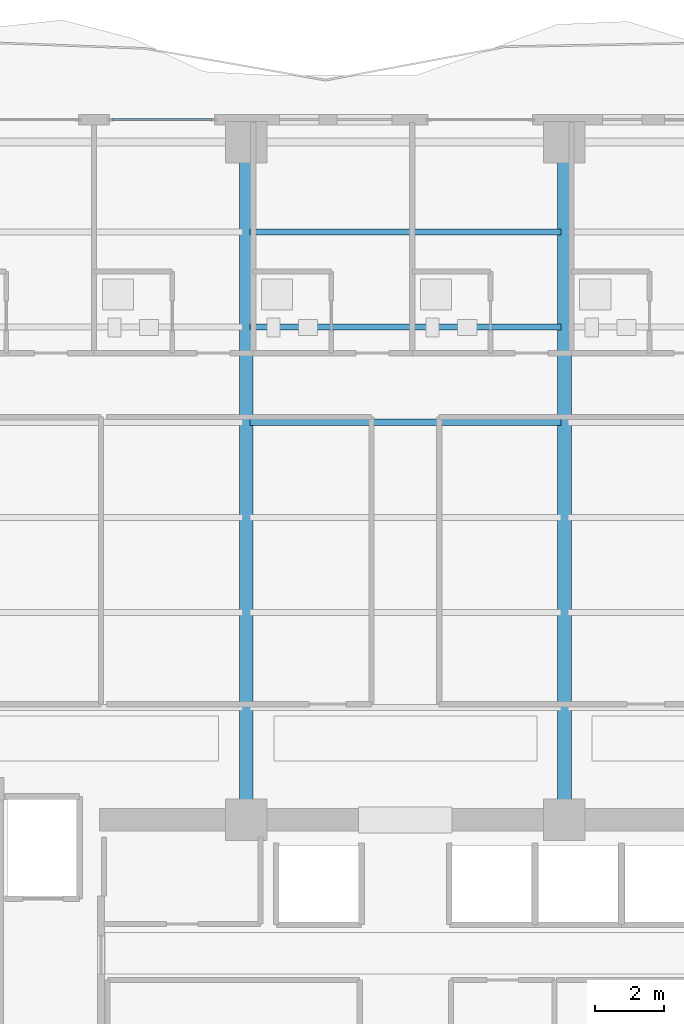
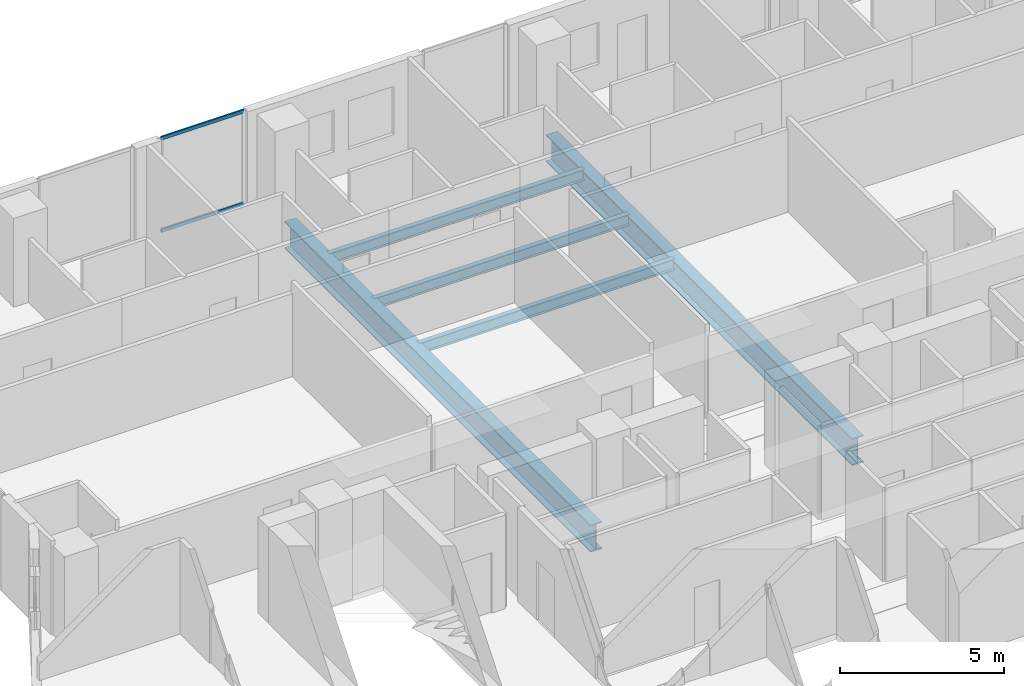
# One storey, part 18 of 33: 5 beams, 2 members, 1 element without a shape of its own.
"""IFC4 building model written with IfcOpenShell, lengths in metres."""

from ifc_helpers import new_model, si_unit, direction, frame, origin, origin_2d, place, context, subcontext, project, spatial, hollow_rectangle, i_section, extrude, material, layer, layer_set, material_profile, profile_set, type_object, element, aggregate, save


model = new_model("IFC4")

# Units and contexts
model_context = context("Model", 3, precision=1e-05, world=origin(), true_north=direction((0.0, 1.0)))
body_context = subcontext(model_context, "Body", "Model", "MODEL_VIEW")
ifc_project = project(units=[si_unit("LENGTHUNIT", "METRE"), si_unit("AREAUNIT", "SQUARE_METRE"), si_unit("VOLUMEUNIT", "CUBIC_METRE"), si_unit("PLANEANGLEUNIT", "RADIAN"), si_unit("MASSUNIT", "GRAM", prefix="KILO")], contexts=[model_context])

# Site, building, storey
site_placement = place(None, origin())
site = spatial("IfcSite", under=ifc_project, at=site_placement, CompositionType="ELEMENT")
building_placement = place(site_placement, origin())
building = spatial("IfcBuilding", under=site, at=building_placement, Name="Zuhayl Quay Hotel", CompositionType="ELEMENT")
storey_placement = place(building_placement, frame((0.0, 0.0, 229.89990234375)))
storey = spatial("IfcBuildingStorey", under=building, at=storey_placement, Name="L58", CompositionType="ELEMENT", Elevation=229.89990234375)

# Beams
ifc_material_1 = material(Name="Steel ASTM A992 Grade 50", Category="steel")
ifc_material_profile_1 = material_profile(ifc_material_1, i_section(OverallWidth=0.177978515625, OverallDepth=0.406005859375, WebThickness=0.0078125, FlangeThickness=0.0126953125, at=origin_2d()), Name="W16X40")
ifc_profile_set_1 = profile_set([ifc_material_profile_1], Name="Steel ASTM A992 Grade 50")
beam_type_1 = type_object("IfcBeamType", Name="BM_J2B_W16X40", PredefinedType="JOIST", material=ifc_profile_set_1)
for number, where, z_axis, x_axis, name in (
    (1, (-4.493896484375, 24.85009765625, -0.4228515625), (1.0, 0.0, 0.0), (0.0, 1.0, 0.0), "L58 Floor Beam FJ_L58_4_2"),
    (2, (-4.493896484375, 27.60009765625, -0.4228515625), (1.0, 0.0, 0.0), (0.0, 1.0, 0.0), "L58 Floor Beam FJ_L58_5_2"),
    (3, (-4.493896484375, 30.35009765625, -0.4228515625), (1.0, 0.0, 0.0), (0.0, 1.0, 0.0), "L58 Floor Beam FJ_L58_6_2"),
):
    element("IfcBeam", number, at=place(storey_placement, frame(where, z_axis=z_axis, x_axis=x_axis)), inside=storey, type_object=beam_type_1, Name=name, PredefinedType="JOIST", context=body_context, shape_type="SweptSolid", body=[
        extrude(i_section(OverallWidth=0.177978515625, OverallDepth=0.406005859375, WebThickness=0.0078125, FlangeThickness=0.0126953125, at=origin_2d()), origin(), (0.0, 0.0, 1.0), 8.98779296875),
    ])
ifc_material_profile_2 = material_profile(ifc_material_1, i_section(OverallWidth=0.40087890625, OverallDepth=1.010986328125, WebThickness=0.023681640625, FlangeThickness=0.0419921875, at=origin_2d()), Name="W40X297")
ifc_profile_set_2 = profile_set([ifc_material_profile_2], Name="Steel ASTM A992 Grade 50")
beam_type_2 = type_object("IfcBeamType", Name="BM_TG2_W40X297", PredefinedType="BEAM", material=ifc_profile_set_2)
for number, where, z_axis, x_axis, name in (
    (4, (-4.60009765625, 13.800048828125, -0.725341796875), (0.0, 1.0, 0.0), (-1.0, 0.0, 0.0), "L58 Floor Beam FG_N_L58_2"),
    (5, (4.60009765625, 13.800048828125, -0.725341796875), (0.0, 1.0, 0.0), (-1.0, 0.0, 0.0), "L58 Floor Beam FG_N_L58_3"),
):
    element("IfcBeam", number, at=place(storey_placement, frame(where, z_axis=z_axis, x_axis=x_axis)), inside=storey, type_object=beam_type_2, Name=name, PredefinedType="BEAM", context=body_context, shape_type="SweptSolid", body=[
        extrude(i_section(OverallWidth=0.40087890625, OverallDepth=1.010986328125, WebThickness=0.023681640625, FlangeThickness=0.0419921875, at=origin_2d()), origin(), (0.0, 0.0, 1.0), 18.64990234375),
    ])

# Curtain wall, members
ifc_material_2 = material(Name="Anodised Aluminium 6063-T6", Category="aluminium")
ifc_layer = layer(ifc_material_2, 0.175048828125, Name="Anodised Aluminium 6063-T6", Category="aluminium")
ifc_layer_set = layer_set([ifc_layer], Name="Anodised Aluminium 6063-T6")
curtain_wall_type = type_object("IfcCurtainWallType", Name="CW_SYS_Z3", PredefinedType="USERDEFINED", material=ifc_layer_set)
curtain_wall_placement = place(storey_placement, origin())
curtain_wall = element("IfcCurtainWall", 6, at=curtain_wall_placement, inside=storey, type_object=curtain_wall_type, Name="L58 Curtain Wall ENV_L58_N_CW3", ObjectType="UNITISED CURTAIN WALL", PredefinedType="USERDEFINED")
ifc_material_3 = material(Name="Black-anodised aluminium 6063-T6", Category="aluminium")
ifc_material_profile_3 = material_profile(ifc_material_3, hollow_rectangle(XDim=0.054931640625, YDim=0.1298828125, WallThickness=0.0029296875, at=origin_2d()), Name="ALU130X55")
ifc_profile_set_3 = profile_set([ifc_material_profile_3], Name="Black-anodised aluminium 6063-T6")
member_type = type_object("IfcMemberType", Name="MB_CW_TRN_130", PredefinedType="USERDEFINED", material=ifc_profile_set_3)
member_1_placement = place(storey_placement, frame((-8.485107421875, 33.60009765625, 0.027587890625), z_axis=(1.0, 0.0, 0.0), x_axis=(0.0, 1.0, 0.0)))
member_1 = element("IfcMember", 7, at=member_1_placement, type_object=member_type, Name="CW-Z3 transom 1.1", ObjectType="TRANSOM", PredefinedType="USERDEFINED", context=body_context, shape_type="SweptSolid", body=[
    extrude(hollow_rectangle(XDim=0.054931640625, YDim=0.1298828125, WallThickness=0.0029296875, at=origin_2d()), origin(), (0.0, 0.0, 1.0), 2.900146484375),
])
member_2_placement = place(storey_placement, frame((-8.485107421875, 33.60009765625, 3.462646484375), z_axis=(1.0, 0.0, 0.0), x_axis=(0.0, 1.0, 0.0)))
member_2 = element("IfcMember", 8, at=member_2_placement, type_object=member_type, Name="CW-Z3 transom 1.2", ObjectType="TRANSOM", PredefinedType="USERDEFINED", context=body_context, shape_type="SweptSolid", body=[
    extrude(hollow_rectangle(XDim=0.054931640625, YDim=0.1298828125, WallThickness=0.0029296875, at=origin_2d()), origin(), (0.0, 0.0, 1.0), 2.900146484375),
])
aggregate(curtain_wall, [member_1, member_2])

save(model, "model.ifc")
